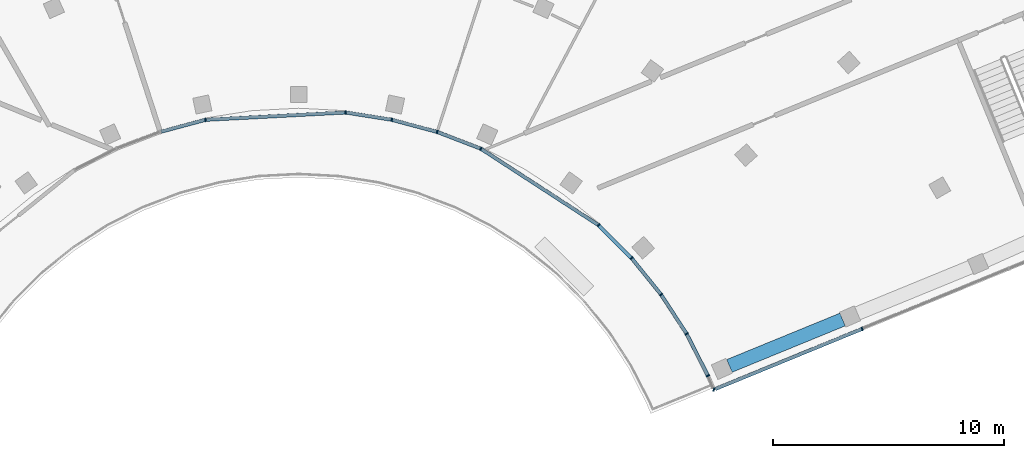
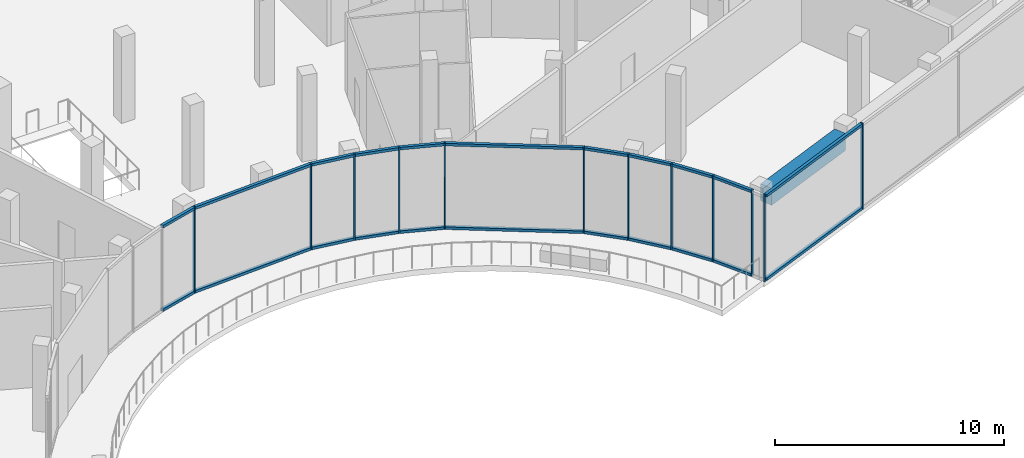
# One storey, part 8 of 40: 34 members, 1 beam, 2 elements without a shape of their own.
"""IFC4 building model written with IfcOpenShell, lengths in metres."""

from ifc_helpers import new_model, si_unit, direction, frame, origin, origin_2d, place, context, subcontext, project, spatial, rectangle, extrude, material, layer, layer_set, material_profile, profile_set, type_object, element, aggregate, save


model = new_model("IFC4")

# Units and contexts
model_context = context("Model", 3, precision=1e-05, world=origin(), true_north=direction((0.0, 1.0)))
body_context = subcontext(model_context, "Body", "Model", "MODEL_VIEW")
ifc_project = project(units=[si_unit("LENGTHUNIT", "METRE"), si_unit("AREAUNIT", "SQUARE_METRE"), si_unit("VOLUMEUNIT", "CUBIC_METRE"), si_unit("PLANEANGLEUNIT", "RADIAN"), si_unit("MASSUNIT", "GRAM", prefix="KILO")], contexts=[model_context])

# Site, building, storey
site_placement = place(None, origin())
site = spatial("IfcSite", under=ifc_project, at=site_placement, CompositionType="ELEMENT")
building_placement = place(site_placement, origin())
building = spatial("IfcBuilding", under=site, at=building_placement, Name="Stone Belt Terrace Tower", CompositionType="ELEMENT")
storey_placement = place(building_placement, frame((0.0, 0.0, 7.0)))
storey = spatial("IfcBuildingStorey", under=building, at=storey_placement, Name="L01", CompositionType="ELEMENT", Elevation=7.0)

# Curtain wall, members
ifc_material_1 = material(Name="Aluminium 6063-T6 anodised frame", Category="aluminium")
ifc_layer = layer(ifc_material_1, 0.14990234375)
ifc_layer_set = layer_set([ifc_layer], Name="CW-D podium shopfront")
curtain_wall_type = type_object("IfcCurtainWallType", Name="CW-D podium shopfront", PredefinedType="NOTDEFINED", material=ifc_layer_set)
curtain_wall_1_placement = place(storey_placement, origin())
curtain_wall_1 = element("IfcCurtainWall", 1, at=curtain_wall_1_placement, inside=storey, type_object=curtain_wall_type, Name="CW-D concave face L01", PredefinedType="NOTDEFINED")
ifc_material_profile_1 = material_profile(ifc_material_1, rectangle(XDim=0.14990234375, YDim=0.06005859375, at=origin_2d()), Name="Aluminium 6063-T6 60x150")
ifc_profile_set_1 = profile_set([ifc_material_profile_1], Name="Aluminium 6063-T6 anodised frame")
member_type_1 = type_object("IfcMemberType", Name="CW-D mullion 60 x 150", PredefinedType="MULLION", material=ifc_profile_set_1)
member_1_placement = place(storey_placement, frame((-4.04248046875, 18.99951171875, 0.0), z_axis=(0.0, 0.0, 1.0), x_axis=(-0.15643446504, 0.987688340595, 0.0)))
member_1 = element("IfcMember", 2, at=member_1_placement, type_object=member_type_1, Name="CW-D mullion 9", PredefinedType="MULLION", context=body_context, shape_type="SweptSolid", body=[
    extrude(rectangle(XDim=0.14990234375, YDim=0.06005859375, at=origin_2d()), origin(), (0.0, 0.0, 1.0), 4.60009765625),
])
member_2_placement = place(storey_placement, frame((2.034423828125, 19.31787109375, 0.0), z_axis=(0.0, 0.0, 1.0), x_axis=(0.052335956243, 0.998629534755, 0.0)))
member_2 = element("IfcMember", 3, at=member_2_placement, type_object=member_type_1, Name="CW-D mullion 10", PredefinedType="MULLION", context=body_context, shape_type="SweptSolid", body=[
    extrude(rectangle(XDim=0.14990234375, YDim=0.06005859375, at=origin_2d()), origin(), (0.0, 0.0, 1.0), 4.60009765625),
])
member_3_placement = place(storey_placement, frame((4.03857421875, 19.00048828125, 0.0), z_axis=(0.0, 0.0, 1.0), x_axis=(0.207911690818, 0.978147600734, 0.0)))
member_3 = element("IfcMember", 4, at=member_3_placement, type_object=member_type_1, Name="CW-D mullion 11", PredefinedType="MULLION", context=body_context, shape_type="SweptSolid", body=[
    extrude(rectangle(XDim=0.14990234375, YDim=0.06005859375, at=origin_2d()), origin(), (0.0, 0.0, 1.0), 4.60009765625),
])
member_4_placement = place(storey_placement, frame((6.002685546875, 18.47412109375, 0.0), z_axis=(0.0, 0.0, 1.0), x_axis=(0.309016994375, 0.951056516295, 0.0)))
member_4 = element("IfcMember", 5, at=member_4_placement, type_object=member_type_1, Name="CW-D mullion 12", PredefinedType="MULLION", context=body_context, shape_type="SweptSolid", body=[
    extrude(rectangle(XDim=0.14990234375, YDim=0.06005859375, at=origin_2d()), origin(), (0.0, 0.0, 1.0), 4.60009765625),
])
member_5_placement = place(storey_placement, frame((7.897216796875, 17.746826171875, 0.0), z_axis=(0.0, 0.0, 1.0), x_axis=(0.45399049974, 0.891006524188, 0.0)))
member_5 = element("IfcMember", 6, at=member_5_placement, type_object=member_type_1, Name="CW-D mullion 13", PredefinedType="MULLION", context=body_context, shape_type="SweptSolid", body=[
    extrude(rectangle(XDim=0.14990234375, YDim=0.06005859375, at=origin_2d()), origin(), (0.0, 0.0, 1.0), 4.60009765625),
])
member_6_placement = place(storey_placement, frame((13.00048828125, 14.4326171875, 0.0), z_axis=(0.0, 0.0, 1.0), x_axis=(0.62932039105, 0.777145961457, 0.0)))
member_6 = element("IfcMember", 7, at=member_6_placement, type_object=member_type_1, Name="CW-D mullion 14", PredefinedType="MULLION", context=body_context, shape_type="SweptSolid", body=[
    extrude(rectangle(XDim=0.14990234375, YDim=0.06005859375, at=origin_2d()), origin(), (0.0, 0.0, 1.0), 4.60009765625),
])
member_7_placement = place(storey_placement, frame((14.435546875, 12.997802734375, 0.0), z_axis=(0.0, 0.0, 1.0), x_axis=(0.743144825477, 0.669130606359, 0.0)))
member_7 = element("IfcMember", 8, at=member_7_placement, type_object=member_type_1, Name="CW-D mullion 15", PredefinedType="MULLION", context=body_context, shape_type="SweptSolid", body=[
    extrude(rectangle(XDim=0.14990234375, YDim=0.06005859375, at=origin_2d()), origin(), (0.0, 0.0, 1.0), 4.60009765625),
])
member_8_placement = place(storey_placement, frame((15.715087890625, 11.417724609375, 0.0), z_axis=(0.0, 0.0, 1.0), x_axis=(0.809016994375, 0.587785252292, 0.0)))
member_8 = element("IfcMember", 9, at=member_8_placement, type_object=member_type_1, Name="CW-D mullion 16", PredefinedType="MULLION", context=body_context, shape_type="SweptSolid", body=[
    extrude(rectangle(XDim=0.14990234375, YDim=0.06005859375, at=origin_2d()), origin(), (0.0, 0.0, 1.0), 4.60009765625),
])
member_9_placement = place(storey_placement, frame((16.822509765625, 9.71240234375, 0.0), z_axis=(0.0, 0.0, 1.0), x_axis=(0.866025403784, 0.5, 0.0)))
member_9 = element("IfcMember", 10, at=member_9_placement, type_object=member_type_1, Name="CW-D mullion 17", PredefinedType="MULLION", context=body_context, shape_type="SweptSolid", body=[
    extrude(rectangle(XDim=0.14990234375, YDim=0.06005859375, at=origin_2d()), origin(), (0.0, 0.0, 1.0), 4.60009765625),
])
member_10_placement = place(storey_placement, frame((17.74609375, 7.899658203125, 0.0), z_axis=(0.0, 0.0, 1.0), x_axis=(0.905778201442, 0.423752108895, 0.0)))
member_10 = element("IfcMember", 11, at=member_10_placement, type_object=member_type_1, Name="CW-D mullion 18", PredefinedType="MULLION", context=body_context, shape_type="SweptSolid", body=[
    extrude(rectangle(XDim=0.14990234375, YDim=0.06005859375, at=origin_2d()), origin(), (0.0, 0.0, 1.0), 4.60009765625),
])

curtain_wall_2_placement = place(storey_placement, origin())
curtain_wall_2 = element("IfcCurtainWall", 12, at=curtain_wall_2_placement, inside=storey, type_object=curtain_wall_type, Name="CW-D end face L01", PredefinedType="NOTDEFINED")
member_11_placement = place(storey_placement, frame((18.00341796875, 7.2978515625, 0.0), z_axis=(0.0, 0.0, 1.0), x_axis=(0.379212239192, 0.925309719849, 0.0)))
member_11 = element("IfcMember", 13, at=member_11_placement, type_object=member_type_1, Name="CW-D mullion 1", PredefinedType="MULLION", context=body_context, shape_type="SweptSolid", body=[
    extrude(rectangle(XDim=0.14990234375, YDim=0.06005859375, at=origin_2d()), origin(), (0.0, 0.0, 1.0), 4.60009765625),
])
member_12_placement = place(storey_placement, frame((24.43310546875, 9.93310546875, 0.0), z_axis=(0.0, 0.0, 1.0), x_axis=(-0.379243093825, 0.925297074342, 0.0)))
member_12 = element("IfcMember", 14, at=member_12_placement, type_object=member_type_1, Name="CW-D mullion 2", PredefinedType="MULLION", context=body_context, shape_type="SweptSolid", body=[
    extrude(rectangle(XDim=0.14990234375, YDim=0.06005859375, at=origin_2d()), origin(), (0.0, 0.0, 1.0), 4.60009765625),
])

# Member
ifc_material_profile_2 = material_profile(ifc_material_1, rectangle(XDim=0.14990234375, YDim=0.139892578125, at=origin_2d()), Name="Aluminium 6063-T6 150x140")
ifc_profile_set_2 = profile_set([ifc_material_profile_2], Name="Aluminium 6063-T6 anodised frame")
member_type_2 = type_object("IfcMemberType", Name="CW-D transom 140 x 150", PredefinedType="USERDEFINED", material=ifc_profile_set_2)
member_13_placement = place(storey_placement, frame((-5.969970703125, 18.48291015625, 0.070068359375), z_axis=(0.965911311304, 0.258873209691, 0.0), x_axis=(-0.258873209691, 0.965911311304, 0.0)))
member_13 = element("IfcMember", 15, at=member_13_placement, type_object=member_type_2, Name="CW-D transom 8.1", ObjectType="TRANSOM", PredefinedType="USERDEFINED", context=body_context, shape_type="SweptSolid", body=[
    extrude(rectangle(XDim=0.14990234375, YDim=0.139892578125, at=origin_2d()), origin(), (0.0, 0.0, 1.0), 1.957763671875),
])

member_14_placement = place(storey_placement, frame((-5.969970703125, 18.48291015625, 4.530029296875), z_axis=(0.965911311304, 0.258873209691, 0.0), x_axis=(-0.258873209691, 0.965911311304, 0.0)))
member_14 = element("IfcMember", 16, at=member_14_placement, type_object=member_type_2, Name="CW-D transom 8.2", ObjectType="TRANSOM", PredefinedType="USERDEFINED", context=body_context, shape_type="SweptSolid", body=[
    extrude(rectangle(XDim=0.14990234375, YDim=0.139892578125, at=origin_2d()), origin(), (0.0, 0.0, 1.0), 1.957763671875),
])

member_15_placement = place(storey_placement, frame((-4.0048828125, 19.00146484375, 0.070068359375), z_axis=(0.99863025745, 0.052322164569, 0.0), x_axis=(-0.052322164569, 0.99863025745, 0.0)))
member_15 = element("IfcMember", 17, at=member_15_placement, type_object=member_type_2, Name="CW-D transom 9.1", ObjectType="TRANSOM", PredefinedType="USERDEFINED", context=body_context, shape_type="SweptSolid", body=[
    extrude(rectangle(XDim=0.14990234375, YDim=0.139892578125, at=origin_2d()), origin(), (0.0, 0.0, 1.0), 6.010009765625),
])

member_16_placement = place(storey_placement, frame((-4.0048828125, 19.00146484375, 4.530029296875), z_axis=(0.99863025745, 0.052322164569, 0.0), x_axis=(-0.052322164569, 0.99863025745, 0.0)))
member_16 = element("IfcMember", 18, at=member_16_placement, type_object=member_type_2, Name="CW-D transom 9.2", ObjectType="TRANSOM", PredefinedType="USERDEFINED", context=body_context, shape_type="SweptSolid", body=[
    extrude(rectangle(XDim=0.14990234375, YDim=0.139892578125, at=origin_2d()), origin(), (0.0, 0.0, 1.0), 6.010009765625),
])

member_17_placement = place(storey_placement, frame((2.071533203125, 19.31201171875, 0.070068359375), z_axis=(0.987676868855, -0.156506877577, 0.0), x_axis=(0.156506877577, 0.987676868855, 0.0)))
member_17 = element("IfcMember", 19, at=member_17_placement, type_object=member_type_2, Name="CW-D transom 10.1", ObjectType="TRANSOM", PredefinedType="USERDEFINED", context=body_context, shape_type="SweptSolid", body=[
    extrude(rectangle(XDim=0.14990234375, YDim=0.139892578125, at=origin_2d()), origin(), (0.0, 0.0, 1.0), 1.957763671875),
])

member_18_placement = place(storey_placement, frame((2.071533203125, 19.31201171875, 4.530029296875), z_axis=(0.987676868855, -0.156506877577, 0.0), x_axis=(0.156506877577, 0.987676868855, 0.0)))
member_18 = element("IfcMember", 20, at=member_18_placement, type_object=member_type_2, Name="CW-D transom 10.2", ObjectType="TRANSOM", PredefinedType="USERDEFINED", context=body_context, shape_type="SweptSolid", body=[
    extrude(rectangle(XDim=0.14990234375, YDim=0.139892578125, at=origin_2d()), origin(), (0.0, 0.0, 1.0), 1.957763671875),
])

member_19_placement = place(storey_placement, frame((4.0712890625, 18.99169921875, 0.070068359375), z_axis=(0.965920885023, -0.258837485455, 0.0), x_axis=(0.258837485455, 0.965920885023, 0.0)))
member_19 = element("IfcMember", 21, at=member_19_placement, type_object=member_type_2, Name="CW-D transom 11.1", ObjectType="TRANSOM", PredefinedType="USERDEFINED", context=body_context, shape_type="SweptSolid", body=[
    extrude(rectangle(XDim=0.14990234375, YDim=0.139892578125, at=origin_2d()), origin(), (0.0, 0.0, 1.0), 1.965576171875),
])

member_20_placement = place(storey_placement, frame((4.0712890625, 18.99169921875, 4.530029296875), z_axis=(0.965920885023, -0.258837485455, 0.0), x_axis=(0.258837485455, 0.965920885023, 0.0)))
member_20 = element("IfcMember", 22, at=member_20_placement, type_object=member_type_2, Name="CW-D transom 11.2", ObjectType="TRANSOM", PredefinedType="USERDEFINED", context=body_context, shape_type="SweptSolid", body=[
    extrude(rectangle(XDim=0.14990234375, YDim=0.139892578125, at=origin_2d()), origin(), (0.0, 0.0, 1.0), 1.965576171875),
])

member_21_placement = place(storey_placement, frame((6.0341796875, 18.4619140625, 0.070068359375), z_axis=(0.933621724334, -0.358260346469, 0.0), x_axis=(0.358260346469, 0.933621724334, 0.0)))
member_21 = element("IfcMember", 23, at=member_21_placement, type_object=member_type_2, Name="CW-D transom 12.1", ObjectType="TRANSOM", PredefinedType="USERDEFINED", context=body_context, shape_type="SweptSolid", body=[
    extrude(rectangle(XDim=0.14990234375, YDim=0.139892578125, at=origin_2d()), origin(), (0.0, 0.0, 1.0), 1.957763671875),
])

member_22_placement = place(storey_placement, frame((6.0341796875, 18.4619140625, 4.530029296875), z_axis=(0.933621724334, -0.358260346469, 0.0), x_axis=(0.358260346469, 0.933621724334, 0.0)))
member_22 = element("IfcMember", 24, at=member_22_placement, type_object=member_type_2, Name="CW-D transom 12.2", ObjectType="TRANSOM", PredefinedType="USERDEFINED", context=body_context, shape_type="SweptSolid", body=[
    extrude(rectangle(XDim=0.14990234375, YDim=0.139892578125, at=origin_2d()), origin(), (0.0, 0.0, 1.0), 1.957763671875),
])

member_23_placement = place(storey_placement, frame((7.9287109375, 17.726318359375, 0.070068359375), z_axis=(0.838670934634, -0.544638470363, 0.0), x_axis=(0.544638470363, 0.838670934634, 0.0)))
member_23 = element("IfcMember", 25, at=member_23_placement, type_object=member_type_2, Name="CW-D transom 13.1", ObjectType="TRANSOM", PredefinedType="USERDEFINED", context=body_context, shape_type="SweptSolid", body=[
    extrude(rectangle(XDim=0.14990234375, YDim=0.139892578125, at=origin_2d()), origin(), (0.0, 0.0, 1.0), 6.009765625),
])

member_24_placement = place(storey_placement, frame((7.9287109375, 17.726318359375, 4.530029296875), z_axis=(0.838670934634, -0.544638470363, 0.0), x_axis=(0.544638470363, 0.838670934634, 0.0)))
member_24 = element("IfcMember", 26, at=member_24_placement, type_object=member_type_2, Name="CW-D transom 13.2", ObjectType="TRANSOM", PredefinedType="USERDEFINED", context=body_context, shape_type="SweptSolid", body=[
    extrude(rectangle(XDim=0.14990234375, YDim=0.139892578125, at=origin_2d()), origin(), (0.0, 0.0, 1.0), 6.009765625),
])

member_25_placement = place(storey_placement, frame((13.02734375, 14.406005859375, 0.070068359375), z_axis=(0.707106781187, -0.707106781187, 0.0), x_axis=(0.707106781187, 0.707106781187, 0.0)))
member_25 = element("IfcMember", 27, at=member_25_placement, type_object=member_type_2, Name="CW-D transom 14.1", ObjectType="TRANSOM", PredefinedType="USERDEFINED", context=body_context, shape_type="SweptSolid", body=[
    extrude(rectangle(XDim=0.14990234375, YDim=0.139892578125, at=origin_2d()), origin(), (0.0, 0.0, 1.0), 1.957763671875),
])

member_26_placement = place(storey_placement, frame((13.02734375, 14.406005859375, 4.530029296875), z_axis=(0.707106781187, -0.707106781187, 0.0), x_axis=(0.707106781187, 0.707106781187, 0.0)))
member_26 = element("IfcMember", 28, at=member_26_placement, type_object=member_type_2, Name="CW-D transom 14.2", ObjectType="TRANSOM", PredefinedType="USERDEFINED", context=body_context, shape_type="SweptSolid", body=[
    extrude(rectangle(XDim=0.14990234375, YDim=0.139892578125, at=origin_2d()), origin(), (0.0, 0.0, 1.0), 1.957763671875),
])

member_27_placement = place(storey_placement, frame((14.456787109375, 12.971435546875, 0.070068359375), z_axis=(0.629394739673, -0.77708574924, 0.0), x_axis=(0.77708574924, 0.629394739673, 0.0)))
member_27 = element("IfcMember", 29, at=member_27_placement, type_object=member_type_2, Name="CW-D transom 15.1", ObjectType="TRANSOM", PredefinedType="USERDEFINED", context=body_context, shape_type="SweptSolid", body=[
    extrude(rectangle(XDim=0.14990234375, YDim=0.139892578125, at=origin_2d()), origin(), (0.0, 0.0, 1.0), 1.965576171875),
])

member_28_placement = place(storey_placement, frame((14.456787109375, 12.971435546875, 4.530029296875), z_axis=(0.629394739673, -0.77708574924, 0.0), x_axis=(0.77708574924, 0.629394739673, 0.0)))
member_28 = element("IfcMember", 30, at=member_28_placement, type_object=member_type_2, Name="CW-D transom 15.2", ObjectType="TRANSOM", PredefinedType="USERDEFINED", context=body_context, shape_type="SweptSolid", body=[
    extrude(rectangle(XDim=0.14990234375, YDim=0.139892578125, at=origin_2d()), origin(), (0.0, 0.0, 1.0), 1.965576171875),
])

member_29_placement = place(storey_placement, frame((15.733642578125, 11.38916015625, 0.070068359375), z_axis=(0.544625870177, -0.838679117145, 0.0), x_axis=(0.838679117145, 0.544625870177, 0.0)))
member_29 = element("IfcMember", 31, at=member_29_placement, type_object=member_type_2, Name="CW-D transom 16.1", ObjectType="TRANSOM", PredefinedType="USERDEFINED", context=body_context, shape_type="SweptSolid", body=[
    extrude(rectangle(XDim=0.14990234375, YDim=0.139892578125, at=origin_2d()), origin(), (0.0, 0.0, 1.0), 1.96533203125),
])

member_30_placement = place(storey_placement, frame((15.733642578125, 11.38916015625, 4.530029296875), z_axis=(0.544625870177, -0.838679117145, 0.0), x_axis=(0.838679117145, 0.544625870177, 0.0)))
member_30 = element("IfcMember", 32, at=member_30_placement, type_object=member_type_2, Name="CW-D transom 16.2", ObjectType="TRANSOM", PredefinedType="USERDEFINED", context=body_context, shape_type="SweptSolid", body=[
    extrude(rectangle(XDim=0.14990234375, YDim=0.139892578125, at=origin_2d()), origin(), (0.0, 0.0, 1.0), 1.96533203125),
])

member_31_placement = place(storey_placement, frame((16.837890625, 9.682373046875, 0.070068359375), z_axis=(0.453948077145, -0.891028138308, 0.0), x_axis=(0.891028138308, 0.453948077145, 0.0)))
member_31 = element("IfcMember", 33, at=member_31_placement, type_object=member_type_2, Name="CW-D transom 17.1", ObjectType="TRANSOM", PredefinedType="USERDEFINED", context=body_context, shape_type="SweptSolid", body=[
    extrude(rectangle(XDim=0.14990234375, YDim=0.139892578125, at=origin_2d()), origin(), (0.0, 0.0, 1.0), 1.968505859375),
])

member_32_placement = place(storey_placement, frame((16.837890625, 9.682373046875, 4.530029296875), z_axis=(0.453948077145, -0.891028138308, 0.0), x_axis=(0.891028138308, 0.453948077145, 0.0)))
member_32 = element("IfcMember", 34, at=member_32_placement, type_object=member_type_2, Name="CW-D transom 17.2", ObjectType="TRANSOM", PredefinedType="USERDEFINED", context=body_context, shape_type="SweptSolid", body=[
    extrude(rectangle(XDim=0.14990234375, YDim=0.139892578125, at=origin_2d()), origin(), (0.0, 0.0, 1.0), 1.968505859375),
])

aggregate(curtain_wall_1, [member_1, member_2, member_3, member_4, member_5, member_6, member_7, member_8, member_9, member_10, member_13, member_14, member_15, member_16, member_17, member_18, member_19, member_20, member_21, member_22, member_23, member_24, member_25, member_26, member_27, member_28, member_29, member_30, member_31, member_32])

member_33_placement = place(storey_placement, frame((18.07177734375, 7.325927734375, 0.070068359375), z_axis=(0.92529221206, 0.379254956859, 0.0), x_axis=(-0.379254956859, 0.92529221206, 0.0)))
member_33 = element("IfcMember", 35, at=member_33_placement, type_object=member_type_2, Name="CW-D transom 1.1", ObjectType="TRANSOM", PredefinedType="USERDEFINED", context=body_context, shape_type="SweptSolid", body=[
    extrude(rectangle(XDim=0.14990234375, YDim=0.139892578125, at=origin_2d()), origin(), (0.0, 0.0, 1.0), 6.844970703125),
])

member_34_placement = place(storey_placement, frame((18.07177734375, 7.325927734375, 4.530029296875), z_axis=(0.92529221206, 0.379254956859, 0.0), x_axis=(-0.379254956859, 0.92529221206, 0.0)))
member_34 = element("IfcMember", 36, at=member_34_placement, type_object=member_type_2, Name="CW-D transom 1.2", ObjectType="TRANSOM", PredefinedType="USERDEFINED", context=body_context, shape_type="SweptSolid", body=[
    extrude(rectangle(XDim=0.14990234375, YDim=0.139892578125, at=origin_2d()), origin(), (0.0, 0.0, 1.0), 6.844970703125),
])

aggregate(curtain_wall_2, [member_11, member_12, member_33, member_34])

# Beam
ifc_material_2 = material(Name="Concrete B60", Category="concrete")
ifc_material_profile_3 = material_profile(ifc_material_2, rectangle(XDim=0.60009765625, YDim=0.89990234375, at=origin_2d()), Name="RC 600x900")
ifc_profile_set_3 = profile_set([ifc_material_profile_3], Name="Concrete B60")
beam_type = type_object("IfcBeamType", Name="Edge beam RC 600x900 B60", PredefinedType="SPANDREL", material=ifc_profile_set_3)
beam_placement = place(storey_placement, frame((18.678466796875, 8.32568359375, 3.75), z_axis=(0.925315733574, 0.379197564866, 0.0), x_axis=(-0.379197564866, 0.925315733574, 0.0)))
element("IfcBeam", 37, at=beam_placement, inside=storey, type_object=beam_type, Name="Edge beam L01 B M to N", PredefinedType="SPANDREL", context=body_context, shape_type="SweptSolid", body=[
    extrude(rectangle(XDim=0.60009765625, YDim=0.89990234375, at=origin_2d()), origin(), (0.0, 0.0, 1.0), 5.302001953125),
])

save(model, "model.ifc")
